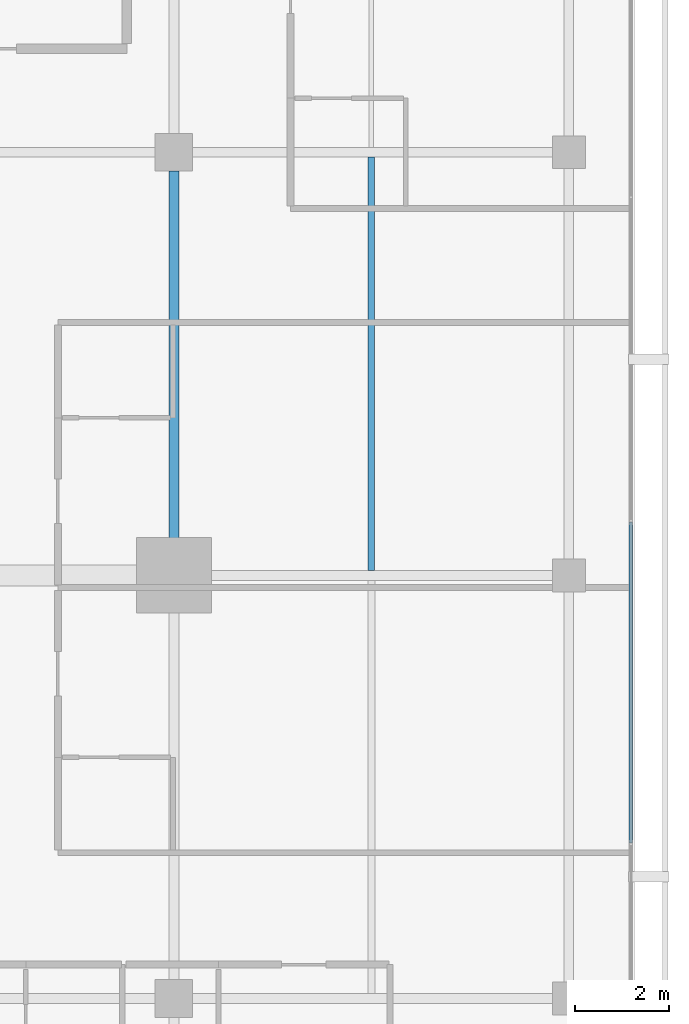
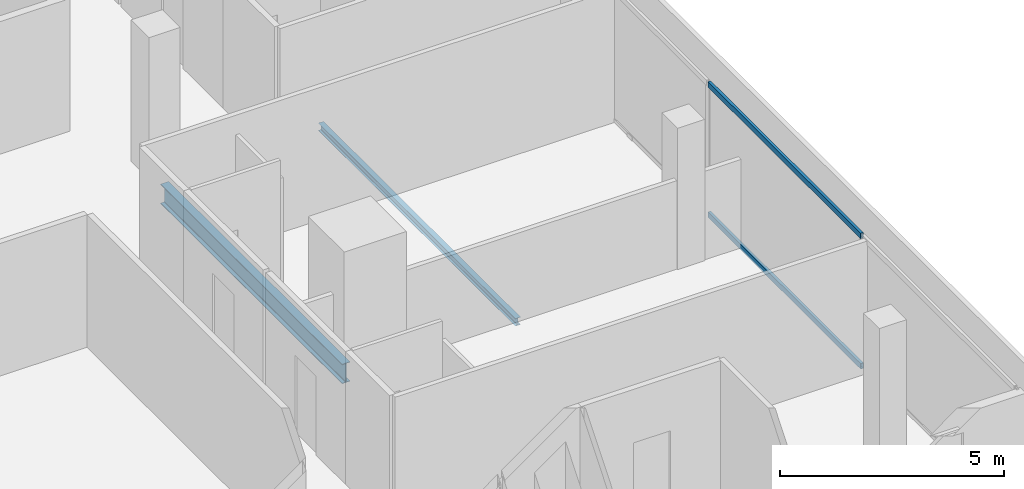
# One storey, part 13 of 25: 2 beams, 2 members, 1 element without a shape of its own.
"""IFC4 building model written with IfcOpenShell, lengths in metres."""

from ifc_helpers import new_model, si_unit, direction, frame, origin, origin_2d, place, context, subcontext, project, spatial, hollow_rectangle, i_section, extrude, material, layer, layer_set, material_profile, profile_set, type_object, element, aggregate, save


model = new_model("IFC4")

# Units and contexts
model_context = context("Model", 3, precision=1e-05, world=origin(), true_north=direction((0.0, 1.0)))
body_context = subcontext(model_context, "Body", "Model", "MODEL_VIEW")
ifc_project = project(units=[si_unit("LENGTHUNIT", "METRE"), si_unit("AREAUNIT", "SQUARE_METRE"), si_unit("VOLUMEUNIT", "CUBIC_METRE"), si_unit("PLANEANGLEUNIT", "RADIAN"), si_unit("MASSUNIT", "GRAM", prefix="KILO")], contexts=[model_context])

# Site, building, storey
site_placement = place(None, origin())
site = spatial("IfcSite", under=ifc_project, at=site_placement, CompositionType="ELEMENT")
building_placement = place(site_placement, origin())
building = spatial("IfcBuilding", under=site, at=building_placement, Name="Maruvema Waterfront Hotel and Observation Tower", CompositionType="ELEMENT")
storey_placement = place(building_placement, frame((0.0, 0.0, 247.10009765625)))
storey = spatial("IfcBuildingStorey", under=building, at=storey_placement, Name="L60", CompositionType="ELEMENT", Elevation=247.10009765625)

# Curtain wall, members
ifc_material_1 = material(Name="Anodised bronze aluminium and solar-control low-E IGU", Category="aluminium")
ifc_layer = layer(ifc_material_1, 0.159912109375, Name="Zone 3 Champagne Inner Thermal Curtain Wall System CW-04")
ifc_layer_set = layer_set([ifc_layer], Name="Anodised bronze aluminium and solar-control low-E IGU")
curtain_wall_type = type_object("IfcCurtainWallType", Name="Zone 3 Champagne Inner Thermal Curtain Wall System CW-04", PredefinedType="USERDEFINED", material=ifc_layer_set)
curtain_wall_placement = place(storey_placement, origin())
curtain_wall = element("IfcCurtainWall", 1, at=curtain_wall_placement, inside=storey, type_object=curtain_wall_type, Name="L60 Curtain Wall CW-L60-E", ObjectType="UNITISED CURTAIN WALL", PredefinedType="USERDEFINED")
ifc_material_2 = material(Name="Anodised architectural bronze aluminium", Category="aluminium")
ifc_material_profile_1 = material_profile(ifc_material_2, hollow_rectangle(XDim=0.070068359375, YDim=0.14990234375, WallThickness=0.00390625, at=origin_2d()), Name="ALU-T70x150")
ifc_profile_set_1 = profile_set([ifc_material_profile_1], Name="Anodised architectural bronze aluminium")
member_type = type_object("IfcMemberType", Name="Curtain Wall Horizontal Transom ALU-T70x150", PredefinedType="USERDEFINED", material=ifc_profile_set_1)
member_1_placement = place(storey_placement, frame((60.1201171875, 21.31005859375, 0.02978515625), z_axis=(0.0, 1.0, 0.0), x_axis=(-1.0, 0.0, 0.0)))
member_1 = element("IfcMember", 2, at=member_1_placement, type_object=member_type, Name="CW-04 transom 2.1", ObjectType="TRANSOM", PredefinedType="USERDEFINED", context=body_context, shape_type="SweptSolid", body=[
    extrude(hollow_rectangle(XDim=0.070068359375, YDim=0.14990234375, WallThickness=0.00390625, at=origin_2d()), origin(), (0.0, 0.0, 1.0), 6.81982421875),
])
member_2_placement = place(storey_placement, frame((60.1201171875, 21.31005859375, 3.579833984375), z_axis=(0.0, 1.0, 0.0), x_axis=(-1.0, 0.0, 0.0)))
member_2 = element("IfcMember", 3, at=member_2_placement, type_object=member_type, Name="CW-04 transom 2.2", ObjectType="TRANSOM", PredefinedType="USERDEFINED", context=body_context, shape_type="SweptSolid", body=[
    extrude(hollow_rectangle(XDim=0.070068359375, YDim=0.14990234375, WallThickness=0.00390625, at=origin_2d()), origin(), (0.0, 0.0, 1.0), 6.81982421875),
])
aggregate(curtain_wall, [member_1, member_2])

# Beams
ifc_material_3 = material(Name="Steel ASTM A572 Grade 50", Category="steel")
ifc_material_profile_2 = material_profile(ifc_material_3, i_section(OverallWidth=0.208984375, OverallDepth=0.532958984375, WebThickness=0.01025390625, FlangeThickness=0.015625, FilletRadius=0.014892578125, at=origin_2d()), Name="W530x92.0")
ifc_profile_set_2 = profile_set([ifc_material_profile_2], Name="Steel ASTM A572 Grade 50")
beam_type_1 = type_object("IfcBeamType", Name="Primary Floor Girder W530x92.0", PredefinedType="BEAM", material=ifc_profile_set_2)
beam_1_placement = place(storey_placement, frame((50.39990234375, 27.5, -0.506591796875), z_axis=(0.0, 1.0, 0.0), x_axis=(-1.0, 0.0, 0.0)))
element("IfcBeam", 4, at=beam_1_placement, inside=storey, type_object=beam_type_1, Name="L60 Floor Girder NS-14", PredefinedType="BEAM", context=body_context, shape_type="SweptSolid", body=[
    extrude(i_section(OverallWidth=0.208984375, OverallDepth=0.532958984375, WebThickness=0.01025390625, FlangeThickness=0.015625, FilletRadius=0.014892578125, at=origin_2d()), origin(), (0.0, 0.0, 1.0), 8.10009765625),
])
ifc_material_4 = material(Name="Steel ASTM A572 Grade 50", Category="steel")
ifc_material_profile_3 = material_profile(ifc_material_4, i_section(OverallWidth=0.133056640625, OverallDepth=0.20703125, WebThickness=0.005859375, FlangeThickness=0.00830078125, FilletRadius=0.010009765625, at=origin_2d()), Name="W200x26.6")
ifc_profile_set_3 = profile_set([ifc_material_profile_3], Name="Steel ASTM A572 Grade 50")
beam_type_2 = type_object("IfcBeamType", Name="Secondary Floor Joist W200x26.6", PredefinedType="JOIST", material=ifc_profile_set_3)
beam_2_placement = place(storey_placement, frame((54.60009765625, 27.1044921875, -0.343505859375), z_axis=(0.0, 1.0, 0.0), x_axis=(-1.0, 0.0, 0.0)))
element("IfcBeam", 5, at=beam_2_placement, inside=storey, type_object=beam_type_2, Name="L60 Secondary Floor Joist JS-08", PredefinedType="JOIST", context=body_context, shape_type="SweptSolid", body=[
    extrude(i_section(OverallWidth=0.133056640625, OverallDepth=0.20703125, WebThickness=0.005859375, FlangeThickness=0.00830078125, FilletRadius=0.010009765625, at=origin_2d()), origin(), (0.0, 0.0, 1.0), 8.791015625),
])

save(model, "model.ifc")
